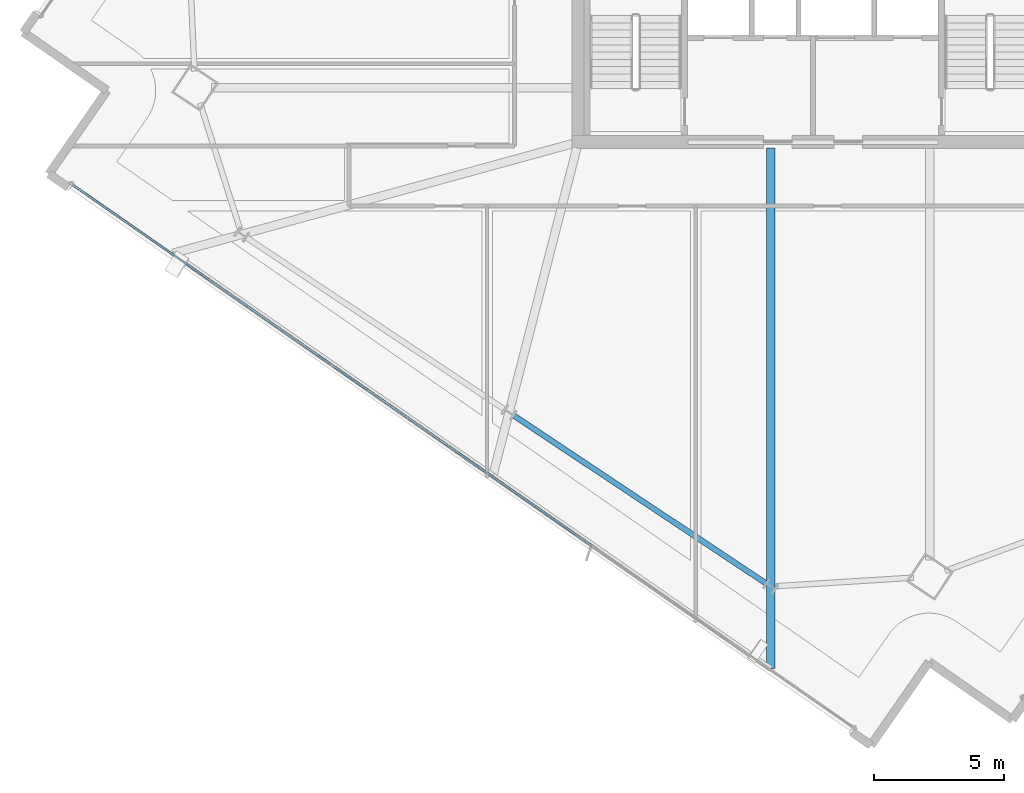
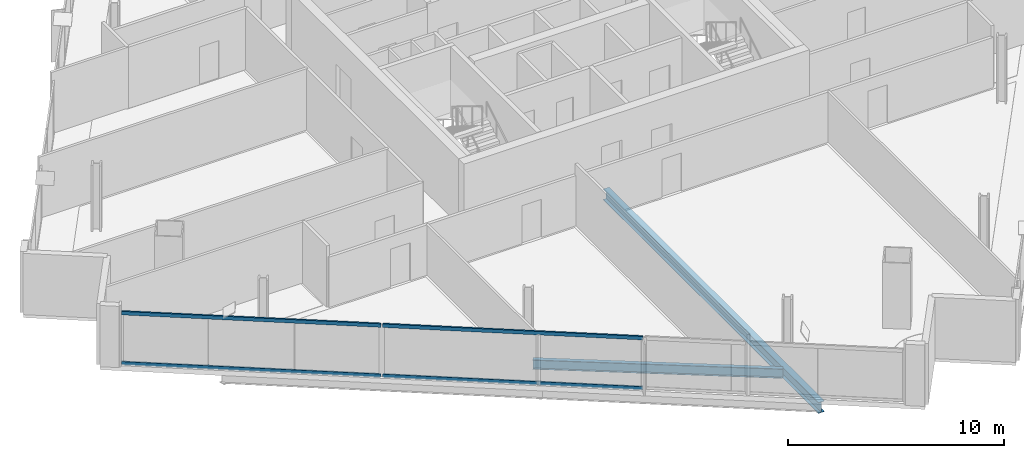
# One storey, part 4 of 30: 4 members, 2 beams, 1 element without a shape of its own.
"""IFC4 building model written with IfcOpenShell, lengths in metres."""

import ifcopenshell
import ifcopenshell.guid

model = None  # the IFC model being written
_history = None  # IfcOwnerHistory: only IFC2X3 demands one
_inside = {}  # id of a spatial element -> (the spatial element, [elements in it])
_under = {}  # id of a project, library or spatial element -> (it, [spatial elements below it])
_declared = {}  # id of a project -> (the project, [libraries it declares])
_typed = {}  # id of a type object -> (the type object, [elements of that type])
_made_of = {}  # id of a material, layer set ... -> (it, [elements and type objects made of it])


def new_model(schema):
    """Start an empty IFC model of exactly this schema.

    Asked for "IFC4X3", IfcOpenShell would pick the latest addendum, in which some entities
    have other attributes; the version numbers below select the first issue.
    IFC2X3 requires an IfcOwnerHistory on every rooted entity: one is made here for all.
    """
    global model, _history
    if schema == "IFC4X3":
        model = ifcopenshell.file(schema_version=(4, 3, 0, 0))
    else:
        model = ifcopenshell.file(schema=schema)
    _inside.clear()
    _under.clear()
    _declared.clear()
    _typed.clear()
    _made_of.clear()
    _history = None
    if model.schema == "IFC2X3":
        org = make("IfcOrganization", Name="unknown")
        user = make(
            "IfcPersonAndOrganization",
            ThePerson=make("IfcPerson", FamilyName="unknown"),
            TheOrganization=org,
        )
        app = make(
            "IfcApplication",
            ApplicationDeveloper=org,
            Version="unknown",
            ApplicationFullName="unknown",
            ApplicationIdentifier="unknown",
        )
        _history = make(
            "IfcOwnerHistory",
            OwningUser=user,
            OwningApplication=app,
            ChangeAction="ADDED",
            CreationDate=0,
        )
    return model


def make(cls, **values):
    """One entity of the class cls with the attributes given. An attribute that is None is left unset."""
    return model.create_entity(
        cls, **{name: value for name, value in values.items() if value is not None}
    )


def rooted(cls, **values):
    """An entity with a GlobalId (a new one), such as an element, a storey or a relation."""
    return make(cls, GlobalId=ifcopenshell.guid.new(), OwnerHistory=_history, **values)


def si_unit(unit_type, name, prefix=None):
    """IfcSIUnit, for example si_unit("LENGTHUNIT", "METRE", prefix="MILLI")."""
    return make("IfcSIUnit", UnitType=unit_type, Prefix=prefix, Name=name)


def assignment(units):
    """IfcUnitAssignment: the units of a project."""
    return None if units is None else make("IfcUnitAssignment", Units=units)


def point(xyz):
    """IfcCartesianPoint."""
    return None if xyz is None else make("IfcCartesianPoint", Coordinates=xyz)


def direction(xyz):
    """IfcDirection."""
    return None if xyz is None else make("IfcDirection", DirectionRatios=xyz)


def frame(location, z_axis=None, x_axis=None):
    """IfcAxis2Placement3D, a coordinate frame: its origin and axes. An axis left out is left unset."""
    return make(
        "IfcAxis2Placement3D",
        Location=point(location),
        Axis=direction(z_axis),
        RefDirection=direction(x_axis),
    )


def frame_2d(location, x_axis=None):
    """IfcAxis2Placement2D, a coordinate frame in the plane: its origin and x axis."""
    return make(
        "IfcAxis2Placement2D", Location=point(location), RefDirection=direction(x_axis)
    )


def origin():
    """The frame at (0, 0, 0) with its axes left unset."""
    return frame((0.0, 0.0, 0.0))


def origin_2d():
    """The frame at (0, 0) in the plane with its x axis left unset."""
    return frame_2d((0.0, 0.0))


def place(relative_to, where):
    """IfcLocalPlacement: puts the frame where relative to a parent placement (None: the world)."""
    return make(
        "IfcLocalPlacement", PlacementRelTo=relative_to, RelativePlacement=where
    )


def context(
    kind, dimensions, precision=None, world=None, true_north=None, identifier=None
):
    """IfcGeometricRepresentationContext, for example the 3D "Model" context."""
    return make(
        "IfcGeometricRepresentationContext",
        ContextIdentifier=identifier,
        ContextType=kind,
        CoordinateSpaceDimension=dimensions,
        Precision=precision,
        WorldCoordinateSystem=world,
        TrueNorth=true_north,
    )


def subcontext(parent, identifier, kind, view, scale=None):
    """IfcGeometricRepresentationSubContext, for example "Body" below "Model"."""
    return make(
        "IfcGeometricRepresentationSubContext",
        ContextIdentifier=identifier,
        ContextType=kind,
        ParentContext=parent,
        TargetScale=scale,
        TargetView=view,
    )


def project(units=None, contexts=None):
    """IfcProject with its units and contexts."""
    return rooted(
        "IfcProject",
        Name="project",
        RepresentationContexts=contexts,
        UnitsInContext=assignment(units),
    )


def spatial(cls, under=None, at=None, **own):
    """A site, building, storey or space (cls), placed at a placement, below another one or the project."""
    s = rooted(cls, ObjectPlacement=at, **own)
    if under is not None:
        _under.setdefault(under.id(), (under, []))[1].append(s)
    return s


def profile(cls, at=None, kind="AREA", **sizes):
    """A parametric profile (cls). Its sizes go by their IFC names, for example OverallWidth=200.0."""
    return make(cls, ProfileType=kind, Position=at, **sizes)


def hollow_rectangle(**sizes):
    """IfcRectangleHollowProfileDef."""
    return profile("IfcRectangleHollowProfileDef", **sizes)


def i_section(**sizes):
    """IfcIShapeProfileDef."""
    return profile("IfcIShapeProfileDef", **sizes)


def extrude(swept, where, along, depth):
    """IfcExtrudedAreaSolid: the profile swept, set in the frame where, extruded along a direction by depth."""
    return make(
        "IfcExtrudedAreaSolid",
        SweptArea=swept,
        Position=where,
        ExtrudedDirection=direction(along),
        Depth=depth,
    )


def shape(context_of_items, identifier, shape_type, items):
    """IfcShapeRepresentation: the items that make up one representation, for example the "Body"."""
    return make(
        "IfcShapeRepresentation",
        ContextOfItems=context_of_items,
        RepresentationIdentifier=identifier,
        RepresentationType=shape_type,
        Items=items,
    )


def material(Name=None, Category=None):
    """IfcMaterial."""
    return make("IfcMaterial", Name=Name, Category=Category)


def material_profile(
    of_material, cross_section, Name=None, Category=None, Priority=None
):
    """IfcMaterialProfile: a cross section and its material."""
    return make(
        "IfcMaterialProfile",
        Name=Name,
        Material=of_material,
        Profile=cross_section,
        Priority=Priority,
        Category=Category,
    )


def profile_set(profiles, Name=None, composite=None):
    """IfcMaterialProfileSet."""
    return make(
        "IfcMaterialProfileSet",
        Name=Name,
        MaterialProfiles=profiles,
        CompositeProfile=composite,
    )


def made_of(thing, what):
    """Note that an element or type object is made of a material, layer set ...; save() writes the relation."""
    if what is not None:
        _made_of.setdefault(what.id(), (what, []))[1].append(thing)
    return thing


def type_object(cls, material=None, **own):
    """A type object (cls), such as IfcWallType, which elements share."""
    return made_of(rooted(cls, **own), material)


def element(
    cls,
    number,
    at=None,
    inside=None,
    cuts=None,
    type_object=None,
    material=None,
    context=None,
    identifier="Body",
    shape_type=None,
    held_by="IfcProductDefinitionShape",
    body=None,
    shapes=None,
    **own,
):
    """One element of the class cls, such as IfcWall. Its Tag is "e" and its number.

    at: its placement. inside: the storey or other place that contains it. cuts: it is an
    opening in that element (IfcRelVoidsElement). A single representation is given by context,
    identifier, shape_type and body (its items); several are given by shapes. held_by: the class
    of the entity that holds the representations. save() writes the other relations.
    """
    e = rooted(cls, Tag="e%d" % number, ObjectPlacement=at, **own)
    if body is not None:
        shapes = [shape(context, identifier, shape_type, body)]
    if shapes is not None:
        e.Representation = make(held_by, Representations=shapes)
    if inside is not None:
        _inside.setdefault(inside.id(), (inside, []))[1].append(e)
    if cuts is not None:
        rooted(
            "IfcRelVoidsElement", RelatingBuildingElement=cuts, RelatedOpeningElement=e
        )
    if type_object is not None:
        _typed.setdefault(type_object.id(), (type_object, []))[1].append(e)
    return made_of(e, material)


def aggregate(whole, parts):
    """IfcRelAggregates: a whole, such as a stair, and the parts it consists of."""
    return rooted("IfcRelAggregates", RelatingObject=whole, RelatedObjects=parts)


def save(model, path):
    """Write the relations noted so far, then the file.

    IfcRelAggregates (storeys below a building ...), IfcRelContainedInSpatialStructure (elements
    in a storey), IfcRelDefinesByType, IfcRelAssociatesMaterial and IfcRelDeclares: one each for
    every whole, place, type object, material and project.
    """
    for whole, parts in _under.values():
        aggregate(whole, parts)
    for where, things in _inside.values():
        rooted(
            "IfcRelContainedInSpatialStructure",
            RelatedElements=things,
            RelatingStructure=where,
        )
    for kind, things in _typed.values():
        rooted("IfcRelDefinesByType", RelatedObjects=things, RelatingType=kind)
    for what, things in _made_of.values():
        rooted("IfcRelAssociatesMaterial", RelatedObjects=things, RelatingMaterial=what)
    for by, libraries in _declared.values():
        rooted("IfcRelDeclares", RelatingContext=by, RelatedDefinitions=libraries)
    model.write(path)


model = new_model("IFC4")

# Units and contexts
model_context = context("Model", 3, precision=1e-05, world=origin(), true_north=direction((0.0, 1.0)))
body_context = subcontext(model_context, "Body", "Model", "MODEL_VIEW")
ifc_project = project(units=[si_unit("LENGTHUNIT", "METRE"), si_unit("AREAUNIT", "SQUARE_METRE"), si_unit("VOLUMEUNIT", "CUBIC_METRE"), si_unit("PLANEANGLEUNIT", "RADIAN"), si_unit("MASSUNIT", "GRAM", prefix="KILO")], contexts=[model_context])

# Site, building, storey
site_placement = place(None, origin())
site = spatial("IfcSite", under=ifc_project, at=site_placement, CompositionType="ELEMENT")
building_placement = place(site_placement, origin())
building = spatial("IfcBuilding", under=site, at=building_placement, Name="Haldenkirk Collegiate Tower", CompositionType="ELEMENT")
storey_placement = place(building_placement, frame((0.0, 0.0, 213.449951171875)))
storey = spatial("IfcBuildingStorey", under=building, at=storey_placement, Name="L53", CompositionType="ELEMENT", Elevation=213.449951171875)

# Beams
ifc_material_1 = material(Name="Steel ASTM A992 Grade 50", Category="steel")
ifc_material_profile_1 = material_profile(ifc_material_1, i_section(OverallWidth=0.324951171875, OverallDepth=0.615966796875, WebThickness=0.013916015625, FlangeThickness=0.021484375, at=origin_2d()), Name="W24X117")
ifc_profile_set_1 = profile_set([ifc_material_profile_1], Name="Steel ASTM A992 Grade 50")
beam_type_1 = type_object("IfcBeamType", Name="BM-GIRDER-W24X117", PredefinedType="BEAM", material=ifc_profile_set_1)
beam_1_placement = place(storey_placement, frame((34.376708984375, -2.196533203125, -0.587890625), z_axis=(0.0, 1.0, 0.0), x_axis=(-1.0, 0.0, 0.0)))
element("IfcBeam", 1, at=beam_1_placement, inside=storey, type_object=beam_type_1, Name="L53 primary floor girder 16", PredefinedType="BEAM", context=body_context, shape_type="SweptSolid", body=[
    extrude(i_section(OverallWidth=0.324951171875, OverallDepth=0.615966796875, WebThickness=0.013916015625, FlangeThickness=0.021484375, at=origin_2d()), origin(), (0.0, 0.0, 1.0), 19.966552734375),
])
ifc_material_profile_2 = material_profile(ifc_material_1, i_section(OverallWidth=0.2099609375, OverallDepth=0.537109375, WebThickness=0.010986328125, FlangeThickness=0.017333984375, at=origin_2d()), Name="W21X68")
ifc_profile_set_2 = profile_set([ifc_material_profile_2], Name="Steel ASTM A992 Grade 50")
beam_type_2 = type_object("IfcBeamType", Name="BM-SPANDREL-W21X68", PredefinedType="SPANDREL", material=ifc_profile_set_2)
beam_2_placement = place(storey_placement, frame((24.52392578125, 7.510986328125, -0.54833984375), z_axis=(0.832441238083, -0.554113332395, 0.0), x_axis=(0.554113332395, 0.832441238083, 0.0)))
element("IfcBeam", 2, at=beam_2_placement, inside=storey, type_object=beam_type_2, Name="L53 perimeter spandrel beam 15", PredefinedType="SPANDREL", context=body_context, shape_type="SweptSolid", body=[
    extrude(i_section(OverallWidth=0.2099609375, OverallDepth=0.537109375, WebThickness=0.010986328125, FlangeThickness=0.017333984375, at=origin_2d()), origin(), (0.0, 0.0, 1.0), 11.618896484375),
])

# Curtain wall, members
ifc_material_2 = material(Name="Anodised architectural bronze aluminium", Category="aluminium")
curtain_wall_type = type_object("IfcCurtainWallType", Name="CW-SYS1B-CONVEX-HI", PredefinedType="USERDEFINED", material=ifc_material_2)
curtain_wall_placement = place(storey_placement, origin())
curtain_wall = element("IfcCurtainWall", 3, at=curtain_wall_placement, inside=storey, type_object=curtain_wall_type, Name="L53 Upper tower high-wind convex bronze unitised curtain wall", ObjectType="UNITISED CURTAIN WALL", PredefinedType="USERDEFINED")
ifc_material_profile_3 = material_profile(ifc_material_2, hollow_rectangle(XDim=0.0849609375, YDim=0.199951171875, WallThickness=0.0048828125, at=origin_2d()), Name="CW-TRN-1B")
ifc_profile_set_3 = profile_set([ifc_material_profile_3], Name="Anodised architectural bronze aluminium")
member_type = type_object("IfcMemberType", Name="CW-TRN-1B", PredefinedType="USERDEFINED", material=ifc_profile_set_3)
member_1_placement = place(storey_placement, frame((27.536865234375, 2.508544921875, 0.04248046875), z_axis=(-0.821154854415, 0.570705445103, 0.0), x_axis=(-0.570705445103, -0.821154854415, 0.0)))
member_1 = element("IfcMember", 4, at=member_1_placement, type_object=member_type, Name="CW-1B transom 2.1", ObjectType="TRANSOM", PredefinedType="USERDEFINED", context=body_context, shape_type="SweptSolid", body=[
    extrude(hollow_rectangle(XDim=0.0849609375, YDim=0.199951171875, WallThickness=0.0048828125, at=origin_2d()), origin(), (0.0, 0.0, 1.0), 12.114990234375),
])
member_2_placement = place(storey_placement, frame((27.536865234375, 2.508544921875, 2.885498046875), z_axis=(-0.821154854415, 0.570705445103, 0.0), x_axis=(-0.570705445103, -0.821154854415, 0.0)))
member_2 = element("IfcMember", 5, at=member_2_placement, type_object=member_type, Name="CW-1B transom 2.2", ObjectType="TRANSOM", PredefinedType="USERDEFINED", context=body_context, shape_type="SweptSolid", body=[
    extrude(hollow_rectangle(XDim=0.0849609375, YDim=0.199951171875, WallThickness=0.0048828125, at=origin_2d()), origin(), (0.0, 0.0, 1.0), 12.114990234375),
])
member_3_placement = place(storey_placement, frame((17.51904296875, 9.47119140625, 0.04248046875), z_axis=(-0.821151201015, 0.570710701732, 0.0), x_axis=(-0.570710701732, -0.821151201015, 0.0)))
member_3 = element("IfcMember", 6, at=member_3_placement, type_object=member_type, Name="CW-1B transom 3.1", ObjectType="TRANSOM", PredefinedType="USERDEFINED", context=body_context, shape_type="SweptSolid", body=[
    extrude(hollow_rectangle(XDim=0.0849609375, YDim=0.199951171875, WallThickness=0.0048828125, at=origin_2d()), origin(), (0.0, 0.0, 1.0), 12.072509765625),
])
member_4_placement = place(storey_placement, frame((17.51904296875, 9.47119140625, 2.885498046875), z_axis=(-0.821151201015, 0.570710701732, 0.0), x_axis=(-0.570710701732, -0.821151201015, 0.0)))
member_4 = element("IfcMember", 7, at=member_4_placement, type_object=member_type, Name="CW-1B transom 3.2", ObjectType="TRANSOM", PredefinedType="USERDEFINED", context=body_context, shape_type="SweptSolid", body=[
    extrude(hollow_rectangle(XDim=0.0849609375, YDim=0.199951171875, WallThickness=0.0048828125, at=origin_2d()), origin(), (0.0, 0.0, 1.0), 12.072509765625),
])
aggregate(curtain_wall, [member_1, member_2, member_3, member_4])

save(model, "model.ifc")
